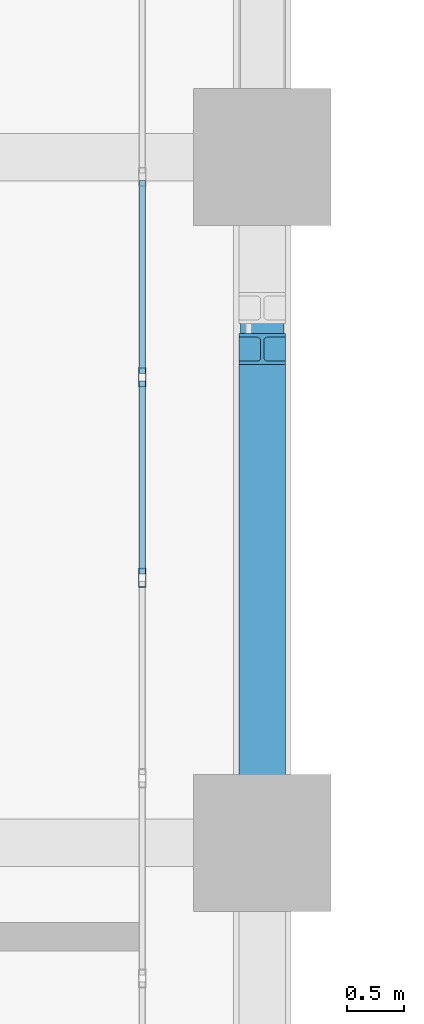
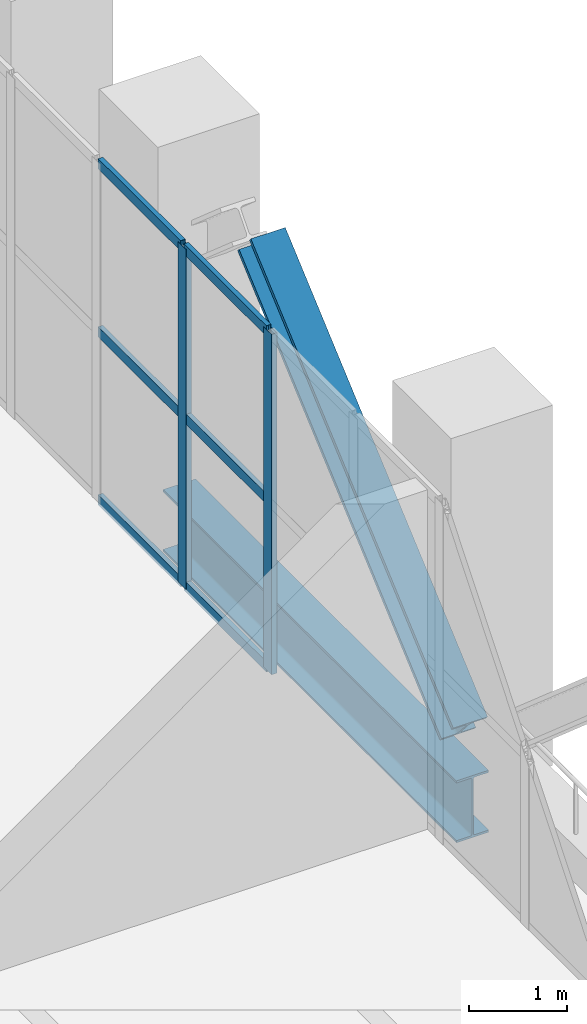
# One storey, part 11 of 27: 9 members, 1 beam, 1 element without a shape of its own.
"""IFC4 building model written with IfcOpenShell, lengths in metres."""

from ifc_helpers import new_model, si_unit, direction, frame, origin, origin_2d, place, context, subcontext, project, spatial, hollow_rectangle, i_section, extrude, material, layer, layer_set, material_profile, profile_set, type_object, element, aggregate, save


model = new_model("IFC4")

# Units and contexts
model_context = context("Model", 3, precision=1e-05, world=origin(), true_north=direction((0.0, 1.0)))
body_context = subcontext(model_context, "Body", "Model", "MODEL_VIEW")
ifc_project = project(units=[si_unit("LENGTHUNIT", "METRE"), si_unit("AREAUNIT", "SQUARE_METRE"), si_unit("VOLUMEUNIT", "CUBIC_METRE"), si_unit("PLANEANGLEUNIT", "RADIAN"), si_unit("MASSUNIT", "GRAM", prefix="KILO")], contexts=[model_context])

# Site, building, storey
site_placement = place(None, origin())
site = spatial("IfcSite", under=ifc_project, at=site_placement, CompositionType="ELEMENT")
building_placement = place(site_placement, origin())
building = spatial("IfcBuilding", under=site, at=building_placement, Name="Mawjdan Bourse Tower", CompositionType="ELEMENT")
storey_placement = place(building_placement, frame((0.0, 0.0, 84.60009765625)))
storey = spatial("IfcBuildingStorey", under=building, at=storey_placement, Name="L19", CompositionType="ELEMENT", Elevation=84.60009765625)

# Member
ifc_material_1 = material(Name="Structural Steel S460", Category="steel")
ifc_material_profile_1 = material_profile(ifc_material_1, i_section(OverallWidth=0.406005859375, OverallDepth=0.416015625, WebThickness=0.02978515625, FlangeThickness=0.048095703125, FilletRadius=0.038330078125, at=origin_2d()), Name="W14X257")
ifc_profile_set_1 = profile_set([ifc_material_profile_1], Name="Structural Steel S460")
member_type_1 = type_object("IfcMemberType", Name="BRC-W14X257", PredefinedType="BRACE", material=ifc_profile_set_1)
member_1_placement = place(storey_placement, frame((24.0, 30.179931640625, 0.199951171875), z_axis=(0.0, 0.754629472097, 0.656151171486), x_axis=(-1.0, 0.0, 0.0)))
element("IfcMember", 1, at=member_1_placement, inside=storey, type_object=member_type_1, Name="L19 North Wing Perimeter Belt Truss Diagonal 3", PredefinedType="BRACE", context=body_context, shape_type="SweptSolid", body=[
    extrude(i_section(OverallWidth=0.406005859375, OverallDepth=0.416015625, WebThickness=0.02978515625, FlangeThickness=0.048095703125, FilletRadius=0.038330078125, at=origin_2d()), origin(), (0.0, 0.0, 1.0), 5.486328125),
])

# Curtain wall, members
ifc_material_2 = material(Name="Thermally Broken Aluminium and Solar Glass", Category="aluminium")
ifc_layer = layer(ifc_material_2, 0.219970703125)
ifc_layer_set = layer_set([ifc_layer], Name="Thermally Broken Aluminium and Solar Glass")
curtain_wall_type = type_object("IfcCurtainWallType", Name="CW-RFG", PredefinedType="USERDEFINED", material=ifc_layer_set)
curtain_wall_placement = place(storey_placement, origin())
curtain_wall = element("IfcCurtainWall", 2, at=curtain_wall_placement, inside=storey, type_object=curtain_wall_type, Name="L19 Refuge Band North-Wing Louvre Curtain Wall", ObjectType="REFUGE BAND LOUVRE SCREEN", PredefinedType="USERDEFINED")
ifc_material_3 = material(Name="Thermally Broken Anodised Aluminium", Category="aluminium")
ifc_material_profile_2 = material_profile(ifc_material_3, hollow_rectangle(XDim=0.06494140625, YDim=0.1650390625, WallThickness=0.00390625, at=origin_2d()), Name="ALU-MUL-165X65")
ifc_profile_set_2 = profile_set([ifc_material_profile_2], Name="Thermally Broken Anodised Aluminium")
member_type_2 = type_object("IfcMemberType", Name="MUL-ALU-MUL-165X65", PredefinedType="MULLION", material=ifc_profile_set_2)
member_2_placement = place(storey_placement, frame((22.949951171875, 32.320068359375, 0.0), z_axis=(0.0, 0.0, 1.0), x_axis=(-1.0, 0.0, 0.0)))
member_2 = element("IfcMember", 3, at=member_2_placement, type_object=member_type_2, Name="CW-RFG-L19-RFG-W mullion 7", PredefinedType="MULLION", context=body_context, shape_type="SweptSolid", body=[
    extrude(hollow_rectangle(XDim=0.06494140625, YDim=0.1650390625, WallThickness=0.00390625, at=origin_2d()), origin(), (0.0, 0.0, 1.0), 4.25),
])
member_3_placement = place(storey_placement, frame((22.949951171875, 34.0732421875, 0.0), z_axis=(0.0, 0.0, 1.0), x_axis=(-1.0, 0.0, 0.0)))
member_3 = element("IfcMember", 4, at=member_3_placement, type_object=member_type_2, Name="CW-RFG-L19-RFG-W mullion 8", PredefinedType="MULLION", context=body_context, shape_type="SweptSolid", body=[
    extrude(hollow_rectangle(XDim=0.06494140625, YDim=0.1650390625, WallThickness=0.00390625, at=origin_2d()), origin(), (0.0, 0.0, 1.0), 4.25),
])

# Beam
ifc_material_4 = material(Name="Structural Steel S355", Category="steel")
ifc_material_profile_3 = material_profile(ifc_material_4, i_section(OverallWidth=0.381103515625, OverallDepth=0.77294921875, WebThickness=0.0166015625, FlangeThickness=0.027099609375, FilletRadius=0.021728515625, at=origin_2d()), Name="W30X173")
ifc_profile_set_3 = profile_set([ifc_material_profile_3], Name="Structural Steel S355")
beam_type = type_object("IfcBeamType", Name="SPN-W30X173", PredefinedType="SPANDREL", material=ifc_profile_set_3)
beam_placement = place(storey_placement, frame((24.0, 30.0, -0.66650390625), z_axis=(0.0, 1.0, 0.0), x_axis=(-1.0, 0.0, 0.0)))
element("IfcBeam", 5, at=beam_placement, inside=storey, type_object=beam_type, Name="L19 North Wing Spandrel 075", PredefinedType="SPANDREL", context=body_context, shape_type="SweptSolid", body=[
    extrude(i_section(OverallWidth=0.381103515625, OverallDepth=0.77294921875, WebThickness=0.0166015625, FlangeThickness=0.027099609375, FilletRadius=0.021728515625, at=origin_2d()), origin(), (0.0, 0.0, 1.0), 6.0),
])

# Member
ifc_material_profile_4 = material_profile(ifc_material_3, hollow_rectangle(XDim=0.054931640625, YDim=0.1298828125, WallThickness=0.00341796875, at=origin_2d()), Name="ALU-TRN-130X55")
ifc_profile_set_4 = profile_set([ifc_material_profile_4], Name="Thermally Broken Anodised Aluminium")
member_type_3 = type_object("IfcMemberType", Name="TRN-ALU-TRN-130X55", PredefinedType="USERDEFINED", material=ifc_profile_set_4)
member_4_placement = place(storey_placement, frame((22.949951171875, 32.3525390625, 0.02734375), z_axis=(0.0, 1.0, 0.0), x_axis=(-1.0, 0.0, 0.0)))
member_4 = element("IfcMember", 6, at=member_4_placement, type_object=member_type_3, Name="CW-RFG-L19-RFG-W transom 7.1", ObjectType="TRANSOM", PredefinedType="USERDEFINED", context=body_context, shape_type="SweptSolid", body=[
    extrude(hollow_rectangle(XDim=0.054931640625, YDim=0.1298828125, WallThickness=0.00341796875, at=origin_2d()), origin(), (0.0, 0.0, 1.0), 1.688232421875),
])

member_5_placement = place(storey_placement, frame((22.949951171875, 32.3525390625, 2.125), z_axis=(0.0, 1.0, 0.0), x_axis=(-1.0, 0.0, 0.0)))
member_5 = element("IfcMember", 7, at=member_5_placement, type_object=member_type_3, Name="CW-RFG-L19-RFG-W transom 7.2", ObjectType="TRANSOM", PredefinedType="USERDEFINED", context=body_context, shape_type="SweptSolid", body=[
    extrude(hollow_rectangle(XDim=0.054931640625, YDim=0.1298828125, WallThickness=0.00341796875, at=origin_2d()), origin(), (0.0, 0.0, 1.0), 1.688232421875),
])

member_6_placement = place(storey_placement, frame((22.949951171875, 32.3525390625, 4.222412109375), z_axis=(0.0, 1.0, 0.0), x_axis=(-1.0, 0.0, 0.0)))
member_6 = element("IfcMember", 8, at=member_6_placement, type_object=member_type_3, Name="CW-RFG-L19-RFG-W transom 7.3", ObjectType="TRANSOM", PredefinedType="USERDEFINED", context=body_context, shape_type="SweptSolid", body=[
    extrude(hollow_rectangle(XDim=0.054931640625, YDim=0.1298828125, WallThickness=0.00341796875, at=origin_2d()), origin(), (0.0, 0.0, 1.0), 1.688232421875),
])

member_7_placement = place(storey_placement, frame((22.949951171875, 34.105712890625, 0.02734375), z_axis=(0.0, 1.0, 0.0), x_axis=(-1.0, 0.0, 0.0)))
member_7 = element("IfcMember", 9, at=member_7_placement, type_object=member_type_3, Name="CW-RFG-L19-RFG-W transom 8.1", ObjectType="TRANSOM", PredefinedType="USERDEFINED", context=body_context, shape_type="SweptSolid", body=[
    extrude(hollow_rectangle(XDim=0.054931640625, YDim=0.1298828125, WallThickness=0.00341796875, at=origin_2d()), origin(), (0.0, 0.0, 1.0), 1.6884765625),
])

member_8_placement = place(storey_placement, frame((22.949951171875, 34.105712890625, 2.125), z_axis=(0.0, 1.0, 0.0), x_axis=(-1.0, 0.0, 0.0)))
member_8 = element("IfcMember", 10, at=member_8_placement, type_object=member_type_3, Name="CW-RFG-L19-RFG-W transom 8.2", ObjectType="TRANSOM", PredefinedType="USERDEFINED", context=body_context, shape_type="SweptSolid", body=[
    extrude(hollow_rectangle(XDim=0.054931640625, YDim=0.1298828125, WallThickness=0.00341796875, at=origin_2d()), origin(), (0.0, 0.0, 1.0), 1.6884765625),
])

member_9_placement = place(storey_placement, frame((22.949951171875, 34.105712890625, 4.222412109375), z_axis=(0.0, 1.0, 0.0), x_axis=(-1.0, 0.0, 0.0)))
member_9 = element("IfcMember", 11, at=member_9_placement, type_object=member_type_3, Name="CW-RFG-L19-RFG-W transom 8.3", ObjectType="TRANSOM", PredefinedType="USERDEFINED", context=body_context, shape_type="SweptSolid", body=[
    extrude(hollow_rectangle(XDim=0.054931640625, YDim=0.1298828125, WallThickness=0.00341796875, at=origin_2d()), origin(), (0.0, 0.0, 1.0), 1.6884765625),
])

aggregate(curtain_wall, [member_2, member_3, member_4, member_5, member_6, member_7, member_8, member_9])

save(model, "model.ifc")
